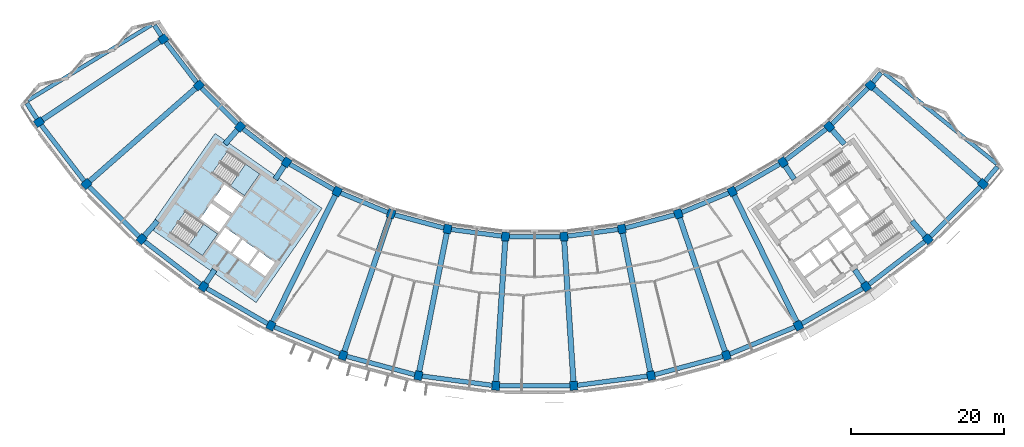
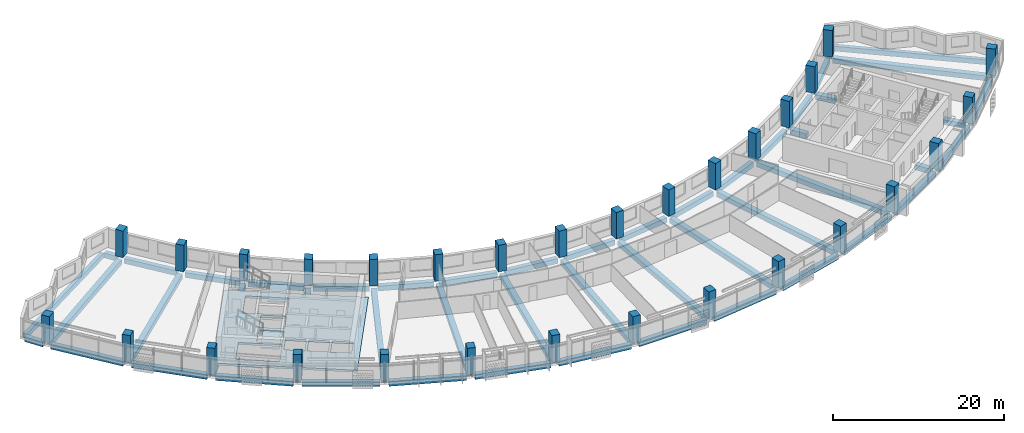
# One storey, part 1 of 27: 53 beams, 30 columns, 3 slabs, 2 elements without a shape of their own.
"""IFC4 building model written with IfcOpenShell, lengths in metres."""

from ifc_helpers import new_model, si_unit, direction, frame, origin, origin_2d, place, context, subcontext, project, spatial, polyline, rectangle, outline, extrude, material, layer, layer_set, material_profile, profile_set, type_object, element, aggregate, save


model = new_model("IFC4")

# Units and contexts
model_context = context("Model", 3, precision=1e-05, world=origin(), true_north=direction((0.0, 1.0)))
body_context = subcontext(model_context, "Body", "Model", "MODEL_VIEW")
ifc_project = project(units=[si_unit("LENGTHUNIT", "METRE"), si_unit("AREAUNIT", "SQUARE_METRE"), si_unit("VOLUMEUNIT", "CUBIC_METRE"), si_unit("PLANEANGLEUNIT", "RADIAN"), si_unit("MASSUNIT", "GRAM", prefix="KILO")], contexts=[model_context])

# Site, building, storey
site_placement = place(None, origin())
site = spatial("IfcSite", under=ifc_project, at=site_placement, CompositionType="ELEMENT")
building_placement = place(site_placement, origin())
building = spatial("IfcBuilding", under=site, at=building_placement, Name="Qamariyya Broadcast Tower", CompositionType="ELEMENT")
storey_placement = place(building_placement, frame((0.0, 0.0, 237.89990234375)))
storey = spatial("IfcBuildingStorey", under=building, at=storey_placement, Name="L57", CompositionType="ELEMENT", Elevation=237.89990234375)

# Columns
ifc_material_1 = material(Name="Concrete C60/75", Category="concrete")
ifc_material_profile_1 = material_profile(ifc_material_1, rectangle(XDim=1.0, YDim=1.14990234375, at=origin_2d()))
ifc_profile_set_1 = profile_set([ifc_material_profile_1], Name="Concrete C60/75")
column_type = type_object("IfcColumnType", Name="RC column 1000 x 1150 C60/75", PredefinedType="COLUMN", material=ifc_profile_set_1)
for number, where, z_axis, x_axis, name in (
    (1, (-48.43310546875, -32.362060546875, 0.0), (0.0, 0.0, 1.0), (0.55557023302, -0.831469612303, 0.0), "Column C11 L57 B-R03"),
    (2, (-64.646728515625, -43.195556640625, 0.0), (0.0, 0.0, 1.0), (0.55557023302, -0.831469612303, 0.0), "Column C11 L57 C-R03"),
    (3, (-43.794677734375, -38.406982421875, 0.0), (0.0, 0.0, 1.0), (0.6593458151, -0.751839807479, 0.0), "Column C11 L57 B-R04"),
    (4, (-58.45556640625, -51.26416015625, 0.0), (0.0, 0.0, 1.0), (0.6593458151, -0.751839807479, 0.0), "Column C11 L57 C-R04"),
    (5, (-38.406982421875, -43.794677734375, 0.0), (0.0, 0.0, 1.0), (0.751839807479, -0.6593458151, 0.0), "Column C11 L57 B-R05"),
    (6, (-51.26416015625, -58.45556640625, 0.0), (0.0, 0.0, 1.0), (0.751839807479, -0.6593458151, 0.0), "Column C11 L57 C-R05"),
    (7, (-32.362060546875, -48.43310546875, 0.0), (0.0, 0.0, 1.0), (0.831469612303, -0.55557023302, 0.0), "Column C11 L57 B-R06"),
    (8, (-43.195556640625, -64.646728515625, 0.0), (0.0, 0.0, 1.0), (0.831469612303, -0.55557023302, 0.0), "Column C11 L57 C-R06"),
    (9, (-25.763427734375, -52.242919921875, 0.0), (0.0, 0.0, 1.0), (0.896872741533, -0.442288690219, 0.0), "Column C11 L57 B-R07"),
    (10, (-34.387939453125, -69.73193359375, 0.0), (0.0, 0.0, 1.0), (0.896872741533, -0.442288690219, 0.0), "Column C11 L57 C-R07"),
    (11, (-18.723876953125, -55.15869140625, 0.0), (0.0, 0.0, 1.0), (0.946930129495, -0.321439465303, 0.0), "Column C11 L57 B-R08"),
    (12, (-24.991943359375, -73.623779296875, 0.0), (0.0, 0.0, 1.0), (0.946930129495, -0.321439465303, 0.0), "Column C11 L57 C-R08"),
    (13, (-11.364013671875, -57.130859375, 0.0), (0.0, 0.0, 1.0), (0.980785280403, -0.195090322016, 0.0), "Column C11 L57 B-R09"),
    (14, (-15.168212890625, -76.256103515625, 0.0), (0.0, 0.0, 1.0), (0.980785280403, -0.195090322016, 0.0), "Column C11 L57 C-R09"),
    (15, (-3.809814453125, -58.125244140625, 0.0), (0.0, 0.0, 1.0), (0.997858923239, -0.06540312923, 0.0), "Column C11 L57 B-R10"),
    (16, (-5.085205078125, -77.58349609375, 0.0), (0.0, 0.0, 1.0), (0.997858923239, -0.06540312923, 0.0), "Column C11 L57 C-R10"),
    (17, (3.809814453125, -58.125244140625, 0.0), (0.0, 0.0, 1.0), (0.997858923239, 0.06540312923, 0.0), "Column C11 L57 B-R11"),
    (18, (5.085205078125, -77.58349609375, 0.0), (0.0, 0.0, 1.0), (0.997858923239, 0.06540312923, 0.0), "Column C11 L57 C-R11"),
    (19, (11.364013671875, -57.130859375, 0.0), (0.0, 0.0, 1.0), (0.980785280403, 0.195090322016, 0.0), "Column C11 L57 B-R12"),
    (20, (15.168212890625, -76.256103515625, 0.0), (0.0, 0.0, 1.0), (0.980785280403, 0.195090322016, 0.0), "Column C11 L57 C-R12"),
    (21, (18.723876953125, -55.15869140625, 0.0), (0.0, 0.0, 1.0), (0.946930129495, 0.321439465303, 0.0), "Column C11 L57 B-R13"),
    (22, (24.991943359375, -73.623779296875, 0.0), (0.0, 0.0, 1.0), (0.946930129495, 0.321439465303, 0.0), "Column C11 L57 C-R13"),
    (23, (25.763427734375, -52.242919921875, 0.0), (0.0, 0.0, 1.0), (0.896872741533, 0.442288690219, 0.0), "Column C11 L57 B-R14"),
    (24, (34.387939453125, -69.73193359375, 0.0), (0.0, 0.0, 1.0), (0.896872741533, 0.442288690219, 0.0), "Column C11 L57 C-R14"),
    (25, (32.362060546875, -48.43310546875, 0.0), (0.0, 0.0, 1.0), (0.831469612303, 0.55557023302, 0.0), "Column C11 L57 B-R15"),
    (26, (43.195556640625, -64.646728515625, 0.0), (0.0, 0.0, 1.0), (0.831469612303, 0.55557023302, 0.0), "Column C11 L57 C-R15"),
    (27, (38.406982421875, -43.794677734375, 0.0), (0.0, 0.0, 1.0), (0.751839807479, 0.6593458151, 0.0), "Column C11 L57 B-R16"),
    (28, (51.26416015625, -58.45556640625, 0.0), (0.0, 0.0, 1.0), (0.751839807479, 0.6593458151, 0.0), "Column C11 L57 C-R16"),
    (29, (43.794677734375, -38.406982421875, 0.0), (0.0, 0.0, 1.0), (0.6593458151, 0.751839807479, 0.0), "Column C11 L57 B-R17"),
    (30, (58.45556640625, -51.26416015625, 0.0), (0.0, 0.0, 1.0), (0.6593458151, 0.751839807479, 0.0), "Column C11 L57 C-R17"),
):
    element("IfcColumn", number, at=place(storey_placement, frame(where, z_axis=z_axis, x_axis=x_axis)), inside=storey, type_object=column_type, Name=name, PredefinedType="COLUMN", context=body_context, shape_type="SweptSolid", body=[
        extrude(rectangle(XDim=1.0, YDim=1.14990234375, at=origin_2d()), origin(), (0.0, 0.0, 1.0), 3.800048828125),
    ])

# Beams
ifc_material_2 = material(Name="Concrete C40/50", Category="concrete")
ifc_material_profile_2 = material_profile(ifc_material_2, rectangle(XDim=0.60009765625, YDim=0.699951171875, at=origin_2d()))
ifc_profile_set_2 = profile_set([ifc_material_profile_2], Name="Concrete C40/50")
beam_type_1 = type_object("IfcBeamType", Name="RC edge beam 600 x 700 C40/50", PredefinedType="SPANDREL", material=ifc_profile_set_2)
for number, where, z_axis, x_axis, name in (
    (31, (-48.128173828125, -32.759521484375, -0.64990234375), (0.608788546151, -0.79333253184, 0.0), (0.79333253184, 0.608788546151, 0.0), "Edge beam B20 L57 B R03-R04"),
    (32, (-43.4404296875, -38.76123046875, -0.64990234375), (0.707106781187, -0.707106781187, 0.0), (0.707106781187, 0.707106781187, 0.0), "Edge beam B20 L57 B R04-R05"),
    (33, (-38.00927734375, -44.099609375, -0.64990234375), (0.79333253184, -0.608788546151, 0.0), (0.608788546151, 0.79333253184, 0.0), "Edge beam B20 L57 B R05-R06"),
):
    element("IfcBeam", number, at=place(storey_placement, frame(where, z_axis=z_axis, x_axis=x_axis)), inside=storey, type_object=beam_type_1, Name=name, PredefinedType="SPANDREL", context=body_context, shape_type="SweptSolid", body=[
        extrude(rectangle(XDim=0.60009765625, YDim=0.699951171875, at=origin_2d()), origin(), (0.0, 0.0, 1.0), 6.617431640625),
    ])
for number, where, z_axis, x_axis, name in (
    (34, (-31.927978515625, -48.68359375, -0.64990234375), (0.866027686223, -0.499996046679, 0.0), (0.499996046679, 0.866027686223, 0.0), "Edge beam B20 L57 B R06-R07"),
    (35, (-25.30029296875, -52.4345703125, -0.64990234375), (0.923870685948, -0.382704789159, 0.0), (0.382704789159, 0.923870685948, 0.0), "Edge beam B20 L57 B R07-R08"),
):
    element("IfcBeam", number, at=place(storey_placement, frame(where, z_axis=z_axis, x_axis=x_axis)), inside=storey, type_object=beam_type_1, Name=name, PredefinedType="SPANDREL", context=body_context, shape_type="SweptSolid", body=[
        extrude(rectangle(XDim=0.60009765625, YDim=0.699951171875, at=origin_2d()), origin(), (0.0, 0.0, 1.0), 6.6171875),
    ])
for number, where, z_axis, x_axis, name in (
    (36, (-18.23974609375, -55.288330078125, -0.64990234375), (0.965927466282, -0.258812924486, 0.0), (0.258812924486, 0.965927466282, 0.0), "Edge beam B20 L57 B R08-R09"),
    (37, (-10.8671875, -57.196044921875, -0.64990234375), (0.991444372314, -0.130529906942, 0.0), (0.130529906942, 0.991444372314, 0.0), "Edge beam B20 L57 B R09-R10"),
):
    element("IfcBeam", number, at=place(storey_placement, frame(where, z_axis=z_axis, x_axis=x_axis)), inside=storey, type_object=beam_type_1, Name=name, PredefinedType="SPANDREL", context=body_context, shape_type="SweptSolid", body=[
        extrude(rectangle(XDim=0.60009765625, YDim=0.699951171875, at=origin_2d()), origin(), (0.0, 0.0, 1.0), 6.617431640625),
    ])
beam_1_placement = place(storey_placement, frame((-3.30859375, -58.125244140625, -0.64990234375), z_axis=(1.0, 0.0, 0.0), x_axis=(0.0, 1.0, 0.0)))
element("IfcBeam", 38, at=beam_1_placement, inside=storey, type_object=beam_type_1, Name="Edge beam B20 L57 B R10-R11", PredefinedType="SPANDREL", context=body_context, shape_type="SweptSolid", body=[
    extrude(rectangle(XDim=0.60009765625, YDim=0.699951171875, at=origin_2d()), origin(), (0.0, 0.0, 1.0), 6.6171875),
])
for number, where, z_axis, x_axis, name in (
    (39, (4.306396484375, -58.059814453125, -0.64990234375), (0.991444372314, 0.130529906942, 0.0), (-0.130529906942, 0.991444372314, 0.0), "Edge beam B20 L57 B R11-R12"),
    (40, (11.847900390625, -57.0009765625, -0.64990234375), (0.965927466282, 0.258812924486, 0.0), (-0.258812924486, 0.965927466282, 0.0), "Edge beam B20 L57 B R12-R13"),
):
    element("IfcBeam", number, at=place(storey_placement, frame(where, z_axis=z_axis, x_axis=x_axis)), inside=storey, type_object=beam_type_1, Name=name, PredefinedType="SPANDREL", context=body_context, shape_type="SweptSolid", body=[
        extrude(rectangle(XDim=0.60009765625, YDim=0.699951171875, at=origin_2d()), origin(), (0.0, 0.0, 1.0), 6.617431640625),
    ])
for number, where, z_axis, x_axis, name in (
    (41, (19.186767578125, -54.967041015625, -0.64990234375), (0.923870685948, 0.382704789159, 0.0), (-0.382704789159, 0.923870685948, 0.0), "Edge beam B20 L57 B R13-R14"),
    (42, (26.197265625, -51.9921875, -0.64990234375), (0.866027686223, 0.499996046679, 0.0), (-0.499996046679, 0.866027686223, 0.0), "Edge beam B20 L57 B R14-R15"),
):
    element("IfcBeam", number, at=place(storey_placement, frame(where, z_axis=z_axis, x_axis=x_axis)), inside=storey, type_object=beam_type_1, Name=name, PredefinedType="SPANDREL", context=body_context, shape_type="SweptSolid", body=[
        extrude(rectangle(XDim=0.60009765625, YDim=0.699951171875, at=origin_2d()), origin(), (0.0, 0.0, 1.0), 6.6171875),
    ])
for number, where, z_axis, x_axis, name in (
    (43, (32.759521484375, -48.128173828125, -0.64990234375), (0.79333253184, 0.608788546151, 0.0), (-0.608788546151, 0.79333253184, 0.0), "Edge beam B20 L57 B R15-R16"),
    (44, (38.76123046875, -43.4404296875, -0.64990234375), (0.707106781187, 0.707106781187, 0.0), (-0.707106781187, 0.707106781187, 0.0), "Edge beam B20 L57 B R16-R17"),
):
    element("IfcBeam", number, at=place(storey_placement, frame(where, z_axis=z_axis, x_axis=x_axis)), inside=storey, type_object=beam_type_1, Name=name, PredefinedType="SPANDREL", context=body_context, shape_type="SweptSolid", body=[
        extrude(rectangle(XDim=0.60009765625, YDim=0.699951171875, at=origin_2d()), origin(), (0.0, 0.0, 1.0), 6.617431640625),
    ])
for number, where, z_axis, x_axis, name in (
    (45, (-64.341796875, -43.593017578125, -0.64990234375), (0.608761882331, -0.793352992445, 0.0), (0.793352992445, 0.608761882331, 0.0), "Edge beam B20 L57 C R03-R04"),
    (46, (-58.101318359375, -51.618408203125, -0.64990234375), (0.707106781187, -0.707106781187, 0.0), (0.707106781187, 0.707106781187, 0.0), "Edge beam B20 L57 C R04-R05"),
    (47, (-50.86669921875, -58.760498046875, -0.64990234375), (0.793352992445, -0.608761882331, 0.0), (0.608761882331, 0.793352992445, 0.0), "Edge beam B20 L57 C R05-R06"),
    (48, (-42.76171875, -64.897216796875, -0.64990234375), (0.866032154434, -0.49998830735, 0.0), (0.49998830735, 0.866032154434, 0.0), "Edge beam B20 L57 C R06-R07"),
    (49, (-33.925048828125, -69.923583984375, -0.64990234375), (0.923876946533, -0.382689675409, 0.0), (0.382689675409, 0.923876946533, 0.0), "Edge beam B20 L57 C R07-R08"),
):
    element("IfcBeam", number, at=place(storey_placement, frame(where, z_axis=z_axis, x_axis=x_axis)), inside=storey, type_object=beam_type_1, Name=name, PredefinedType="SPANDREL", context=body_context, shape_type="SweptSolid", body=[
        extrude(rectangle(XDim=0.60009765625, YDim=0.699951171875, at=origin_2d()), origin(), (0.0, 0.0, 1.0), 9.168212890625),
    ])
for number, where, z_axis, x_axis, name in (
    (50, (-24.5078125, -73.75341796875, -0.64990234375), (0.965919522093, -0.258842571536, 0.0), (0.258842571536, 0.965919522093, 0.0), "Edge beam B20 L57 C R08-R09"),
    (51, (-14.67138671875, -76.321533203125, -0.64990234375), (0.991446770895, -0.130511687147, 0.0), (0.130511687147, 0.991446770895, 0.0), "Edge beam B20 L57 C R09-R10"),
    (52, (-4.583984375, -77.58349609375, -0.64990234375), (1.0, 0.0, 0.0), (0.0, 1.0, 0.0), "Edge beam B20 L57 C R10-R11"),
    (53, (5.581787109375, -77.51806640625, -0.64990234375), (0.991446770895, 0.130511687147, 0.0), (-0.130511687147, 0.991446770895, 0.0), "Edge beam B20 L57 C R11-R12"),
    (54, (15.65234375, -76.12646484375, -0.64990234375), (0.965919522093, 0.258842571536, 0.0), (-0.258842571536, 0.965919522093, 0.0), "Edge beam B20 L57 C R12-R13"),
):
    element("IfcBeam", number, at=place(storey_placement, frame(where, z_axis=z_axis, x_axis=x_axis)), inside=storey, type_object=beam_type_1, Name=name, PredefinedType="SPANDREL", context=body_context, shape_type="SweptSolid", body=[
        extrude(rectangle(XDim=0.60009765625, YDim=0.699951171875, at=origin_2d()), origin(), (0.0, 0.0, 1.0), 9.16796875),
    ])
for number, where, z_axis, x_axis, name in (
    (55, (25.454833984375, -73.43212890625, -0.64990234375), (0.923876946533, 0.382689675409, 0.0), (-0.382689675409, 0.923876946533, 0.0), "Edge beam B20 L57 C R13-R14"),
    (56, (34.82177734375, -69.481201171875, -0.64990234375), (0.866032154434, 0.49998830735, 0.0), (-0.49998830735, 0.866032154434, 0.0), "Edge beam B20 L57 C R14-R15"),
    (57, (43.593017578125, -64.341796875, -0.64990234375), (0.793352992445, 0.608761882331, 0.0), (-0.608761882331, 0.793352992445, 0.0), "Edge beam B20 L57 C R15-R16"),
    (58, (51.618408203125, -58.101318359375, -0.64990234375), (0.707106781187, 0.707106781187, 0.0), (-0.707106781187, 0.707106781187, 0.0), "Edge beam B20 L57 C R16-R17"),
):
    element("IfcBeam", number, at=place(storey_placement, frame(where, z_axis=z_axis, x_axis=x_axis)), inside=storey, type_object=beam_type_1, Name=name, PredefinedType="SPANDREL", context=body_context, shape_type="SweptSolid", body=[
        extrude(rectangle(XDim=0.60009765625, YDim=0.699951171875, at=origin_2d()), origin(), (0.0, 0.0, 1.0), 9.168212890625),
    ])
ifc_material_profile_3 = material_profile(ifc_material_2, rectangle(XDim=0.60009765625, YDim=0.699951171875, at=origin_2d()))
ifc_profile_set_3 = profile_set([ifc_material_profile_3], Name="Concrete C40/50")
beam_type_2 = type_object("IfcBeamType", Name="RC horn beam 600 x 700 C40/50", PredefinedType="BEAM", material=ifc_profile_set_3)
beam_2_placement = place(storey_placement, frame((-48.702392578125, -31.940673828125, -0.64990234375), z_axis=(-0.538486996623, 0.842633819917, 0.0), x_axis=(-0.842633819917, -0.538486996623, 0.0)))
element("IfcBeam", 59, at=beam_2_placement, inside=storey, type_object=beam_type_2, Name="Horn beam B19 L57 W B-R03", PredefinedType="BEAM", context=body_context, shape_type="SweptSolid", body=[
    extrude(rectangle(XDim=0.60009765625, YDim=0.699951171875, at=origin_2d()), origin(), (0.0, 0.0, 1.0), 1.626220703125),
])
beam_3_placement = place(storey_placement, frame((-64.916015625, -42.774169921875, -0.64990234375), z_axis=(-0.538544382286, 0.84259714473, 0.0), x_axis=(-0.84259714473, -0.538544382286, 0.0)))
element("IfcBeam", 60, at=beam_3_placement, inside=storey, type_object=beam_type_2, Name="Horn beam B19 L57 W C-R03", PredefinedType="BEAM", context=body_context, shape_type="SweptSolid", body=[
    extrude(rectangle(XDim=0.60009765625, YDim=0.699951171875, at=origin_2d()), origin(), (0.0, 0.0, 1.0), 2.421630859375),
])
beam_4_placement = place(storey_placement, frame((44.11669921875, -38.024169921875, -0.64990234375), z_axis=(0.643927674699, 0.765086367514, 0.0), x_axis=(-0.765086367514, 0.643927674699, 0.0)))
element("IfcBeam", 61, at=beam_4_placement, inside=storey, type_object=beam_type_2, Name="Horn beam B19 L57 E B-R17", PredefinedType="BEAM", context=body_context, shape_type="SweptSolid", body=[
    extrude(rectangle(XDim=0.60009765625, YDim=0.699951171875, at=origin_2d()), origin(), (0.0, 0.0, 1.0), 1.626220703125),
])
beam_5_placement = place(storey_placement, frame((58.777587890625, -50.881591796875, -0.64990234375), z_axis=(0.643806606681, 0.7651882469, 0.0), x_axis=(-0.7651882469, 0.643806606681, 0.0)))
element("IfcBeam", 62, at=beam_5_placement, inside=storey, type_object=beam_type_2, Name="Horn beam B19 L57 E C-R17", PredefinedType="BEAM", context=body_context, shape_type="SweptSolid", body=[
    extrude(rectangle(XDim=0.60009765625, YDim=0.699951171875, at=origin_2d()), origin(), (0.0, 0.0, 1.0), 2.421630859375),
])
ifc_material_profile_4 = material_profile(ifc_material_2, rectangle(XDim=0.5, YDim=0.699951171875, at=origin_2d()))
ifc_profile_set_4 = profile_set([ifc_material_profile_4], Name="Concrete C40/50")
beam_type_3 = type_object("IfcBeamType", Name="RC horn cap beam 500 x 700 C40/50", PredefinedType="BEAM", material=ifc_profile_set_4)
beam_6_placement = place(storey_placement, frame((-49.96875, -30.51611328125, -0.64990234375), z_axis=(-0.853436342261, -0.521197092958, 0.0), x_axis=(0.521197092958, -0.853436342261, 0.0)))
element("IfcBeam", 63, at=beam_6_placement, inside=storey, type_object=beam_type_3, Name="Horn cap beam B21 L57 W B-C", PredefinedType="BEAM", context=body_context, shape_type="SweptSolid", body=[
    extrude(rectangle(XDim=0.5, YDim=0.699951171875, at=origin_2d()), origin(), (0.0, 0.0, 1.0), 18.89990234375),
])
beam_7_placement = place(storey_placement, frame((45.55810546875, -36.777099609375, -0.64990234375), z_axis=(0.778105078585, -0.628134131122, 0.0), x_axis=(0.628134131122, 0.778105078585, 0.0)))
element("IfcBeam", 64, at=beam_7_placement, inside=storey, type_object=beam_type_3, Name="Horn cap beam B21 L57 E B-C", PredefinedType="BEAM", context=body_context, shape_type="SweptSolid", body=[
    extrude(rectangle(XDim=0.5, YDim=0.699951171875, at=origin_2d()), origin(), (0.0, 0.0, 1.0), 18.900146484375),
])
ifc_material_profile_5 = material_profile(ifc_material_2, rectangle(XDim=0.699951171875, YDim=0.699951171875, at=origin_2d()))
ifc_profile_set_5 = profile_set([ifc_material_profile_5], Name="Concrete C40/50")
beam_type_4 = type_object("IfcBeamType", Name="RC radial beam 700 x 700 C40/50", PredefinedType="BEAM", material=ifc_profile_set_5)
beam_8_placement = place(storey_placement, frame((-48.9111328125, -32.681396484375, -0.64990234375), z_axis=(-0.831468530479, -0.55557185208, 0.0), x_axis=(0.55557185208, -0.831468530479, 0.0)))
element("IfcBeam", 65, at=beam_8_placement, inside=storey, type_object=beam_type_4, Name="Radial beam B18 L57 R03 B-C", PredefinedType="BEAM", context=body_context, shape_type="SweptSolid", body=[
    extrude(rectangle(XDim=0.699951171875, YDim=0.699951171875, at=origin_2d()), origin(), (0.0, 0.0, 1.0), 18.35009765625),
])
beam_9_placement = place(storey_placement, frame((-44.22705078125, -38.7861328125, -0.64990234375), z_axis=(-0.751840222646, -0.659345341692, 0.0), x_axis=(0.659345341692, -0.751840222646, 0.0)))
element("IfcBeam", 66, at=beam_9_placement, inside=storey, type_object=beam_type_4, Name="Radial beam B18 L57 R04 B-C", PredefinedType="BEAM", context=body_context, shape_type="SweptSolid", body=[
    extrude(rectangle(XDim=0.699951171875, YDim=0.699951171875, at=origin_2d()), origin(), (0.0, 0.0, 1.0), 18.349853515625),
])
beam_10_placement = place(storey_placement, frame((-38.7861328125, -44.22705078125, -0.64990234375), z_axis=(-0.659347500472, -0.751838329444, 0.0), x_axis=(0.751838329444, -0.659347500472, 0.0)))
element("IfcBeam", 67, at=beam_10_placement, inside=storey, type_object=beam_type_4, Name="Radial beam B18 L57 R05 B-C", PredefinedType="BEAM", context=body_context, shape_type="SweptSolid", body=[
    extrude(rectangle(XDim=0.699951171875, YDim=0.699951171875, at=origin_2d()), origin(), (0.0, 0.0, 1.0), 2.43896484375),
])
beam_11_placement = place(storey_placement, frame((-49.1943359375, -56.095458984375, -0.64990234375), z_axis=(-0.65936701245, -0.751821217373, 0.0), x_axis=(0.751821217373, -0.65936701245, 0.0)))
element("IfcBeam", 68, at=beam_11_placement, inside=storey, type_object=beam_type_4, Name="Radial beam B18 L57 R05 B-C", PredefinedType="BEAM", context=body_context, shape_type="SweptSolid", body=[
    extrude(rectangle(XDim=0.699951171875, YDim=0.699951171875, at=origin_2d()), origin(), (0.0, 0.0, 1.0), 2.56396484375),
])
beam_12_placement = place(storey_placement, frame((-32.681396484375, -48.9111328125, -0.64990234375), z_axis=(-0.555589685374, -0.831456614326, 0.0), x_axis=(0.831456614326, -0.555589685374, 0.0)))
element("IfcBeam", 69, at=beam_12_placement, inside=storey, type_object=beam_type_4, Name="Radial beam B18 L57 R06 B-C", PredefinedType="BEAM", context=body_context, shape_type="SweptSolid", body=[
    extrude(rectangle(XDim=0.699951171875, YDim=0.699951171875, at=origin_2d()), origin(), (0.0, 0.0, 1.0), 2.08935546875),
])
beam_13_placement = place(storey_placement, frame((-41.733154296875, -62.458251953125, -0.64990234375), z_axis=(-0.555630982199, -0.831429017788, 0.0), x_axis=(0.831429017788, -0.555630982199, 0.0)))
element("IfcBeam", 70, at=beam_13_placement, inside=storey, type_object=beam_type_4, Name="Radial beam B18 L57 R06 B-C", PredefinedType="BEAM", context=body_context, shape_type="SweptSolid", body=[
    extrude(rectangle(XDim=0.699951171875, YDim=0.699951171875, at=origin_2d()), origin(), (0.0, 0.0, 1.0), 2.05712890625),
])
beam_14_placement = place(storey_placement, frame((-26.017578125, -52.758544921875, -0.64990234375), z_axis=(-0.442289405452, -0.896872388819, 0.0), x_axis=(0.896872388819, -0.442289405452, 0.0)))
element("IfcBeam", 71, at=beam_14_placement, inside=storey, type_object=beam_type_4, Name="Radial beam B18 L57 R07 B-C", PredefinedType="BEAM", context=body_context, shape_type="SweptSolid", body=[
    extrude(rectangle(XDim=0.699951171875, YDim=0.699951171875, at=origin_2d()), origin(), (0.0, 0.0, 1.0), 18.349853515625),
])
for number, where, z_axis, x_axis, name in (
    (72, (-18.90869140625, -55.703125, -0.64990234375), (-0.321439728167, -0.946930040265, 0.0), (0.946930040265, -0.321439728167, 0.0), "Radial beam B18 L57 R08 B-C"),
    (73, (-11.47607421875, -57.694580078125, -0.64990234375), (-0.195097720648, -0.980783808695, 0.0), (0.980783808695, -0.195097720648, 0.0), "Radial beam B18 L57 R09 B-C"),
    (74, (-3.847412109375, -58.698974609375, -0.64990234375), (-0.065405444204, -0.997858771505, 0.0), (0.997858771505, -0.065405444204, 0.0), "Radial beam B18 L57 R10 B-C"),
    (75, (3.847412109375, -58.698974609375, -0.64990234375), (0.065405444204, -0.997858771505, 0.0), (0.997858771505, 0.065405444204, 0.0), "Radial beam B18 L57 R11 B-C"),
    (76, (11.47607421875, -57.694580078125, -0.64990234375), (0.195097720648, -0.980783808695, 0.0), (0.980783808695, 0.195097720648, 0.0), "Radial beam B18 L57 R12 B-C"),
    (77, (18.90869140625, -55.703125, -0.64990234375), (0.321439728167, -0.946930040265, 0.0), (0.946930040265, 0.321439728167, 0.0), "Radial beam B18 L57 R13 B-C"),
):
    element("IfcBeam", number, at=place(storey_placement, frame(where, z_axis=z_axis, x_axis=x_axis)), inside=storey, type_object=beam_type_4, Name=name, PredefinedType="BEAM", context=body_context, shape_type="SweptSolid", body=[
        extrude(rectangle(XDim=0.699951171875, YDim=0.699951171875, at=origin_2d()), origin(), (0.0, 0.0, 1.0), 18.35009765625),
    ])
beam_15_placement = place(storey_placement, frame((26.017578125, -52.758544921875, -0.64990234375), z_axis=(0.442289405452, -0.896872388819, 0.0), x_axis=(0.896872388819, 0.442289405452, 0.0)))
element("IfcBeam", 78, at=beam_15_placement, inside=storey, type_object=beam_type_4, Name="Radial beam B18 L57 R14 B-C", PredefinedType="BEAM", context=body_context, shape_type="SweptSolid", body=[
    extrude(rectangle(XDim=0.699951171875, YDim=0.699951171875, at=origin_2d()), origin(), (0.0, 0.0, 1.0), 18.349853515625),
])
beam_16_placement = place(storey_placement, frame((32.681396484375, -48.9111328125, -0.64990234375), z_axis=(0.555589685374, -0.831456614326, 0.0), x_axis=(0.831456614326, 0.555589685374, 0.0)))
element("IfcBeam", 79, at=beam_16_placement, inside=storey, type_object=beam_type_4, Name="Radial beam B18 L57 R15 B-C", PredefinedType="BEAM", context=body_context, shape_type="SweptSolid", body=[
    extrude(rectangle(XDim=0.699951171875, YDim=0.699951171875, at=origin_2d()), origin(), (0.0, 0.0, 1.0), 2.08935546875),
])
beam_17_placement = place(storey_placement, frame((41.733154296875, -62.458251953125, -0.64990234375), z_axis=(0.555630982199, -0.831429017788, 0.0), x_axis=(0.831429017788, 0.555630982199, 0.0)))
element("IfcBeam", 80, at=beam_17_placement, inside=storey, type_object=beam_type_4, Name="Radial beam B18 L57 R15 B-C", PredefinedType="BEAM", context=body_context, shape_type="SweptSolid", body=[
    extrude(rectangle(XDim=0.699951171875, YDim=0.699951171875, at=origin_2d()), origin(), (0.0, 0.0, 1.0), 2.05712890625),
])
beam_18_placement = place(storey_placement, frame((38.7861328125, -44.22705078125, -0.64990234375), z_axis=(0.659347500472, -0.751838329444, 0.0), x_axis=(0.751838329444, 0.659347500472, 0.0)))
element("IfcBeam", 81, at=beam_18_placement, inside=storey, type_object=beam_type_4, Name="Radial beam B18 L57 R16 B-C", PredefinedType="BEAM", context=body_context, shape_type="SweptSolid", body=[
    extrude(rectangle(XDim=0.699951171875, YDim=0.699951171875, at=origin_2d()), origin(), (0.0, 0.0, 1.0), 2.43896484375),
])
beam_19_placement = place(storey_placement, frame((49.1943359375, -56.095458984375, -0.64990234375), z_axis=(0.65936701245, -0.751821217373, 0.0), x_axis=(0.751821217373, 0.65936701245, 0.0)))
element("IfcBeam", 82, at=beam_19_placement, inside=storey, type_object=beam_type_4, Name="Radial beam B18 L57 R16 B-C", PredefinedType="BEAM", context=body_context, shape_type="SweptSolid", body=[
    extrude(rectangle(XDim=0.699951171875, YDim=0.699951171875, at=origin_2d()), origin(), (0.0, 0.0, 1.0), 2.56396484375),
])
beam_20_placement = place(storey_placement, frame((44.22705078125, -38.7861328125, -0.64990234375), z_axis=(0.751840222646, -0.659345341692, 0.0), x_axis=(0.659345341692, 0.751840222646, 0.0)))
element("IfcBeam", 83, at=beam_20_placement, inside=storey, type_object=beam_type_4, Name="Radial beam B18 L57 R17 B-C", PredefinedType="BEAM", context=body_context, shape_type="SweptSolid", body=[
    extrude(rectangle(XDim=0.699951171875, YDim=0.699951171875, at=origin_2d()), origin(), (0.0, 0.0, 1.0), 18.349853515625),
])

# Slab
ifc_layer_1 = layer(ifc_material_2, 0.300048828125)
ifc_layer_set_1 = layer_set([ifc_layer_1], Name="Core floor slab 300 mm Concrete C40/50")
slab_type_1 = type_object("IfcSlabType", Name="Core floor slab 300 mm Concrete C40/50", PredefinedType="FLOOR", material=ifc_layer_set_1)
slab_1_placement = place(storey_placement, frame((0.0, 0.0, -0.2998046875)))
element("IfcSlab", 84, at=slab_1_placement, inside=storey, type_object=slab_type_1, Name="k-W-L57-slab", PredefinedType="FLOOR", context=body_context, shape_type="SweptSolid", body=[
    extrude(outline(polyline([(-50.286376953125, -56.95751953125), (-36.32373046875, -66.734375), (-27.719970703125, -54.447021484375), (-41.6826171875, -44.67041015625), (-50.286376953125, -56.95751953125)]), holes=[polyline([(-33.87353515625, -61.49169921875), (-35.88037109375, -60.08642578125), (-37.142333984375, -61.888427734375), (-35.13525390625, -63.293701171875), (-33.87353515625, -61.49169921875)]), polyline([(-36.126220703125, -59.914306640625), (-38.133056640625, -58.509033203125), (-39.394775390625, -60.311279296875), (-37.387939453125, -61.716552734375), (-36.126220703125, -59.914306640625)]), polyline([(-38.378662109375, -58.3369140625), (-40.3857421875, -56.931640625), (-41.6474609375, -58.73388671875), (-39.640625, -60.13916015625), (-38.378662109375, -58.3369140625)]), polyline([(-39.742431640625, -55.489990234375), (-42.199951171875, -53.769287109375), (-43.6337890625, -55.817138671875), (-41.17626953125, -57.537841796875), (-39.742431640625, -55.489990234375)]), polyline([(-39.45556640625, -55.080322265625), (-41.9130859375, -53.359619140625), (-40.47900390625, -51.311767578125), (-38.021728515625, -53.032470703125), (-39.45556640625, -55.080322265625)]), polyline([(-42.06103515625, -49.837890625), (-37.849609375, -52.78662109375), (-35.870849609375, -49.960693359375), (-40.082275390625, -47.01171875), (-42.06103515625, -49.837890625)]), polyline([(-47.538818359375, -57.66064453125), (-43.3271484375, -60.609619140625), (-41.348388671875, -57.783447265625), (-45.559814453125, -54.834716796875), (-47.538818359375, -57.66064453125)])]), origin(), (0.0, 0.0, 1.0), 0.2998046875),
])

# Stair, slab
ifc_material_3 = material(Name="Concrete C50/60", Category="concrete")
stair_type = type_object("IfcStairType", Name="Exit stair 22 risers of 173 mm", PredefinedType="HALF_TURN_STAIR", material=ifc_material_3)
stair_1_placement = place(storey_placement, origin())
stair_1 = element("IfcStair", 85, at=stair_1_placement, inside=storey, type_object=stair_type, Name="L57 Stair W2", PredefinedType="HALF_TURN_STAIR")
ifc_layer_2 = layer(ifc_material_3, 0.199951171875)
ifc_layer_set_2 = layer_set([ifc_layer_2], Name="Stair landing")
slab_type_2 = type_object("IfcSlabType", Name="Stair landing", PredefinedType="LANDING", material=ifc_layer_set_2)
slab_2_placement = place(storey_placement, frame((0.0, 0.0, 1.7001953125)))
slab_2 = element("IfcSlab", 86, at=slab_2_placement, type_object=slab_type_2, Name="ST-W2 landing 1", PredefinedType="LANDING", context=body_context, shape_type="SweptSolid", body=[
    extrude(outline(polyline([(-39.692138671875, -51.49658203125), (-37.849609375, -52.78662109375), (-35.870849609375, -49.960693359375), (-37.71337890625, -48.67041015625), (-39.692138671875, -51.49658203125)])), origin(), (0.0, 0.0, 1.0), 0.199951171875),
])
aggregate(stair_1, [slab_2])

stair_2_placement = place(storey_placement, origin())
stair_2 = element("IfcStair", 87, at=stair_2_placement, inside=storey, type_object=stair_type, Name="L57 Stair W1", PredefinedType="HALF_TURN_STAIR")
slab_3_placement = place(storey_placement, frame((0.0, 0.0, 1.7001953125)))
slab_3 = element("IfcSlab", 88, at=slab_3_placement, type_object=slab_type_2, Name="ST-W1 landing 1", PredefinedType="LANDING", context=body_context, shape_type="SweptSolid", body=[
    extrude(outline(polyline([(-45.169677734375, -59.319580078125), (-43.3271484375, -60.609619140625), (-41.348388671875, -57.783447265625), (-43.19091796875, -56.493408203125), (-45.169677734375, -59.319580078125)])), origin(), (0.0, 0.0, 1.0), 0.199951171875),
])
aggregate(stair_2, [slab_3])

save(model, "model.ifc")
